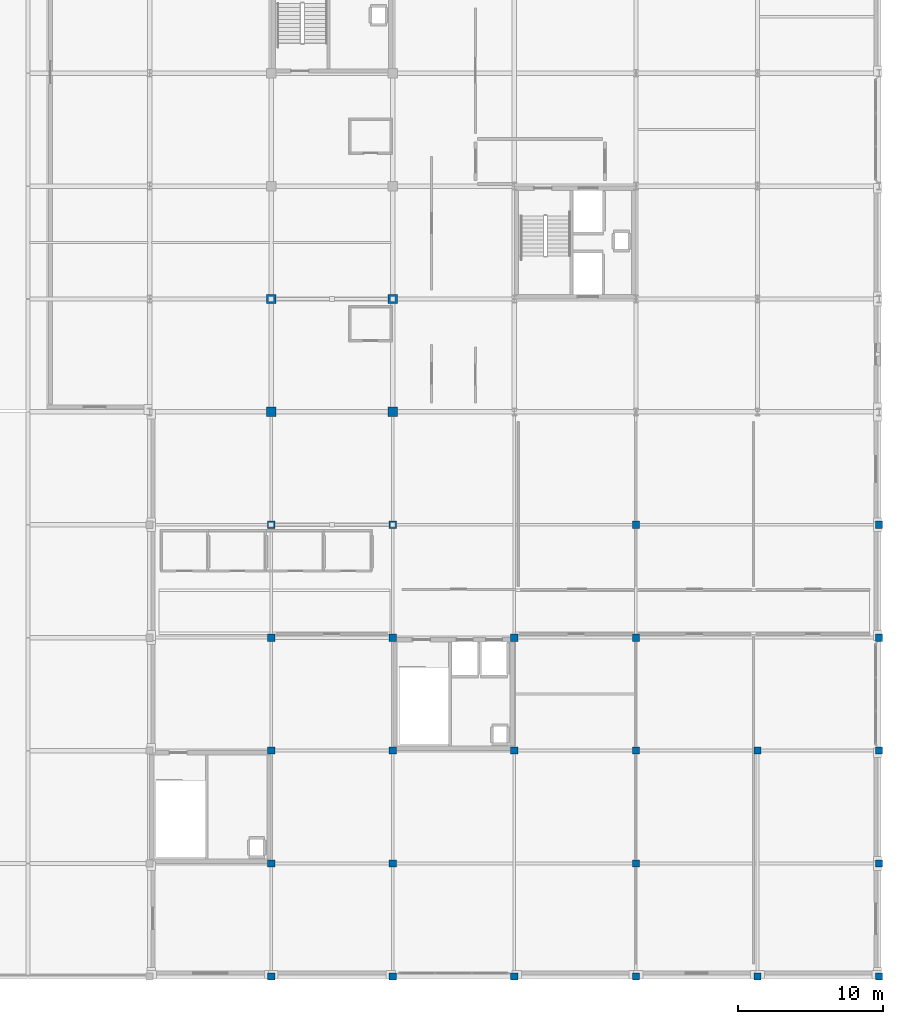
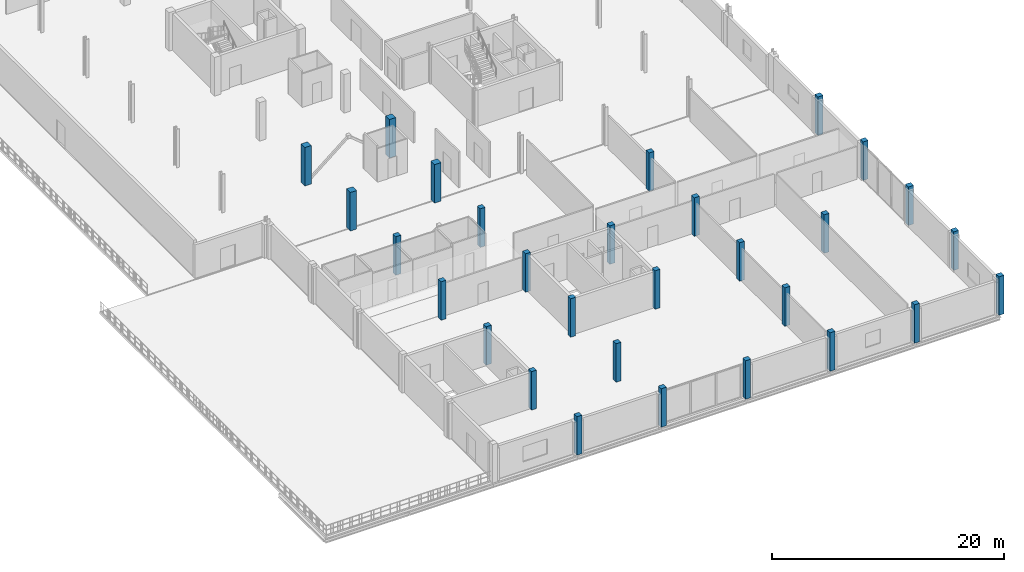
# One storey, part 4 of 41: 29 columns.
"""IFC4 building model written with IfcOpenShell, lengths in metres."""

from ifc_helpers import new_model, si_unit, direction, frame, origin, origin_2d, place, context, subcontext, project, spatial, rectangle, extrude, material, material_profile, profile_set, type_object, element, save


model = new_model("IFC4")

# Units and contexts
model_context = context("Model", 3, precision=1e-05, world=origin(), true_north=direction((0.0, 1.0)))
body_context = subcontext(model_context, "Body", "Model", "MODEL_VIEW")
ifc_project = project(units=[si_unit("LENGTHUNIT", "METRE"), si_unit("AREAUNIT", "SQUARE_METRE"), si_unit("VOLUMEUNIT", "CUBIC_METRE"), si_unit("PLANEANGLEUNIT", "RADIAN"), si_unit("MASSUNIT", "GRAM", prefix="KILO")], contexts=[model_context])

# Site, building, storey
site_placement = place(None, origin())
site = spatial("IfcSite", under=ifc_project, at=site_placement, CompositionType="ELEMENT")
building_placement = place(site_placement, origin())
building = spatial("IfcBuilding", under=site, at=building_placement, Name="Nabrawat Pavilion Hospital", CompositionType="ELEMENT")
storey_placement = place(building_placement, frame((0.0, 0.0, 18.89990234375)))
storey = spatial("IfcBuildingStorey", under=building, at=storey_placement, Name="L04", CompositionType="ELEMENT", Elevation=18.89990234375)

# Columns
ifc_material = material(Name="Concrete C40/50", Category="concrete")
ifc_material_profile_1 = material_profile(ifc_material, rectangle(XDim=0.64990234375, YDim=0.64990234375, at=origin_2d()), Name="RC 650x650")
ifc_profile_set_1 = profile_set([ifc_material_profile_1], Name="Concrete C40/50")
column_type_1 = type_object("IfcColumnType", Name="Outpatient RC Column 650x650", PredefinedType="COLUMN", material=ifc_profile_set_1)
for number, where, z_axis, x_axis, name in (
    (1, (151.199951171875, 39.0, 0.0), (0.0, 0.0, 1.0), (1.0, 0.0, 0.0), "L04 Structural Column G-19-F1"),
    (2, (151.199951171875, 46.800048828125, 0.0), (0.0, 0.0, 1.0), (1.0, 0.0, 0.0), "L04 Structural Column G-19-G"),
    (3, (159.60009765625, 39.0, 0.0), (0.0, 0.0, 1.0), (1.0, 0.0, 0.0), "L04 Structural Column G-20-F1"),
    (4, (159.60009765625, 46.800048828125, 0.0), (0.0, 0.0, 1.0), (1.0, 0.0, 0.0), "L04 Structural Column G-20-G"),
):
    element("IfcColumn", number, at=place(storey_placement, frame(where, z_axis=z_axis, x_axis=x_axis)), inside=storey, type_object=column_type_1, Name=name, PredefinedType="COLUMN", context=body_context, shape_type="SweptSolid", body=[
        extrude(rectangle(XDim=0.64990234375, YDim=0.64990234375, at=origin_2d()), origin(), (0.0, 0.0, 1.0), 4.050048828125),
    ])
ifc_material_profile_2 = material_profile(ifc_material, rectangle(XDim=0.5, YDim=0.5, at=origin_2d()), Name="RC 500x500")
ifc_profile_set_2 = profile_set([ifc_material_profile_2], Name="Concrete C40/50")
column_type_2 = type_object("IfcColumnType", Name="Pavilion Upper RC Column 500x500", PredefinedType="COLUMN", material=ifc_profile_set_2)
for number, where, z_axis, x_axis, name in (
    (5, (151.199951171875, 0.0, 0.0), (0.0, 0.0, 1.0), (1.0, 0.0, 0.0), "L04 Structural Column G-19-A"),
    (6, (151.199951171875, 7.800048828125, 0.0), (0.0, 0.0, 1.0), (1.0, 0.0, 0.0), "L04 Structural Column G-19-B"),
    (7, (151.199951171875, 15.60009765625, 0.0), (0.0, 0.0, 1.0), (1.0, 0.0, 0.0), "L04 Structural Column G-19-C"),
    (8, (151.199951171875, 23.39990234375, 0.0), (0.0, 0.0, 1.0), (1.0, 0.0, 0.0), "L04 Structural Column G-19-D"),
    (9, (151.199951171875, 31.199951171875, 0.0), (0.0, 0.0, 1.0), (1.0, 0.0, 0.0), "L04 Structural Column G-19-E"),
    (10, (159.60009765625, 0.0, 0.0), (0.0, 0.0, 1.0), (1.0, 0.0, 0.0), "L04 Structural Column G-20-A"),
    (11, (159.60009765625, 7.800048828125, 0.0), (0.0, 0.0, 1.0), (1.0, 0.0, 0.0), "L04 Structural Column G-20-B"),
    (12, (159.60009765625, 15.60009765625, 0.0), (0.0, 0.0, 1.0), (1.0, 0.0, 0.0), "L04 Structural Column G-20-C"),
    (13, (159.60009765625, 23.39990234375, 0.0), (0.0, 0.0, 1.0), (1.0, 0.0, 0.0), "L04 Structural Column G-20-D"),
    (14, (159.60009765625, 31.199951171875, 0.0), (0.0, 0.0, 1.0), (1.0, 0.0, 0.0), "L04 Structural Column G-20-E"),
    (15, (168.0, 0.0, 0.0), (0.0, 0.0, 1.0), (1.0, 0.0, 0.0), "L04 Structural Column G-21-A"),
    (16, (168.0, 15.60009765625, 0.0), (0.0, 0.0, 1.0), (1.0, 0.0, 0.0), "L04 Structural Column G-21-C"),
    (17, (168.0, 23.39990234375, 0.0), (0.0, 0.0, 1.0), (1.0, 0.0, 0.0), "L04 Structural Column G-21-D"),
    (18, (176.39990234375, 0.0, 0.0), (0.0, 0.0, 1.0), (1.0, 0.0, 0.0), "L04 Structural Column G-22-A"),
    (19, (176.39990234375, 7.800048828125, 0.0), (0.0, 0.0, 1.0), (1.0, 0.0, 0.0), "L04 Structural Column G-22-B"),
    (20, (176.39990234375, 15.60009765625, 0.0), (0.0, 0.0, 1.0), (1.0, 0.0, 0.0), "L04 Structural Column G-22-C"),
    (21, (176.39990234375, 23.39990234375, 0.0), (0.0, 0.0, 1.0), (1.0, 0.0, 0.0), "L04 Structural Column G-22-D"),
    (22, (176.39990234375, 31.199951171875, 0.0), (0.0, 0.0, 1.0), (1.0, 0.0, 0.0), "L04 Structural Column G-22-E"),
    (23, (184.800048828125, 0.0, 0.0), (0.0, 0.0, 1.0), (1.0, 0.0, 0.0), "L04 Structural Column G-23-A"),
    (24, (184.800048828125, 15.60009765625, 0.0), (0.0, 0.0, 1.0), (1.0, 0.0, 0.0), "L04 Structural Column G-23-C"),
    (25, (193.199951171875, 0.0, 0.0), (0.0, 0.0, 1.0), (1.0, 0.0, 0.0), "L04 Structural Column G-24-A"),
    (26, (193.199951171875, 7.800048828125, 0.0), (0.0, 0.0, 1.0), (1.0, 0.0, 0.0), "L04 Structural Column G-24-B"),
    (27, (193.199951171875, 15.60009765625, 0.0), (0.0, 0.0, 1.0), (1.0, 0.0, 0.0), "L04 Structural Column G-24-C"),
    (28, (193.199951171875, 23.39990234375, 0.0), (0.0, 0.0, 1.0), (1.0, 0.0, 0.0), "L04 Structural Column G-24-D"),
    (29, (193.199951171875, 31.199951171875, 0.0), (0.0, 0.0, 1.0), (1.0, 0.0, 0.0), "L04 Structural Column G-24-E"),
):
    element("IfcColumn", number, at=place(storey_placement, frame(where, z_axis=z_axis, x_axis=x_axis)), inside=storey, type_object=column_type_2, Name=name, PredefinedType="COLUMN", context=body_context, shape_type="SweptSolid", body=[
        extrude(rectangle(XDim=0.5, YDim=0.5, at=origin_2d()), origin(), (0.0, 0.0, 1.0), 4.050048828125),
    ])

save(model, "model.ifc")
